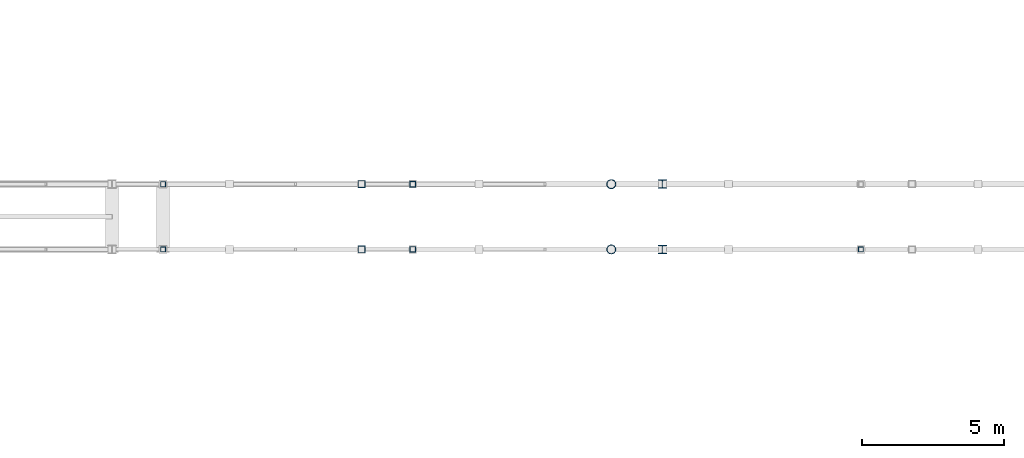
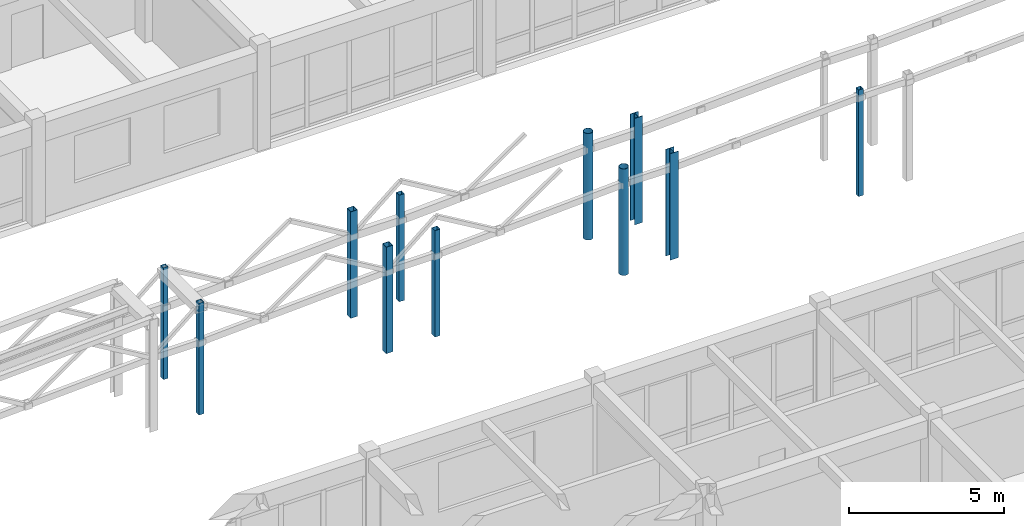
# One storey, part 9 of 89: 11 columns.
"""IFC4 building model written with IfcOpenShell, lengths in metres."""

from ifc_helpers import new_model, si_unit, direction, frame, origin, origin_2d, place, context, subcontext, project, spatial, hollow_rectangle, hollow_circle, i_section, extrude, material, material_profile, profile_set, type_object, element, save


model = new_model("IFC4")

# Units and contexts
model_context = context("Model", 3, precision=1e-05, world=origin(), true_north=direction((0.0, 1.0)))
body_context = subcontext(model_context, "Body", "Model", "MODEL_VIEW")
ifc_project = project(units=[si_unit("LENGTHUNIT", "METRE"), si_unit("AREAUNIT", "SQUARE_METRE"), si_unit("VOLUMEUNIT", "CUBIC_METRE"), si_unit("PLANEANGLEUNIT", "RADIAN"), si_unit("MASSUNIT", "GRAM", prefix="KILO")], contexts=[model_context])

# Site, building, storey
site_placement = place(None, origin())
site = spatial("IfcSite", under=ifc_project, at=site_placement, CompositionType="ELEMENT")
building_placement = place(site_placement, origin())
building = spatial("IfcBuilding", under=site, at=building_placement, Name="Malvenik Polytechnic", CompositionType="ELEMENT")
storey_placement = place(building_placement, frame((0.0, 0.0, 13.5)))
storey = spatial("IfcBuildingStorey", under=building, at=storey_placement, Name="L03", CompositionType="ELEMENT", Elevation=13.5)

# Columns
ifc_material_1 = material(Name="Steel S355J2H", Category="steel")
ifc_material_profile_1 = material_profile(ifc_material_1, hollow_rectangle(XDim=0.25, YDim=0.25, WallThickness=0.010009765625, at=origin_2d()), Name="SHS 250x250x10.0")
ifc_profile_set_1 = profile_set([ifc_material_profile_1], Name="Steel S355J2H")
column_type_1 = type_object("IfcColumnType", Name="STR-SCOL-SC-01", PredefinedType="COLUMN", material=ifc_profile_set_1)
for number, where, z_axis, x_axis, name in (
    (1, (39.800048828125, 103.14990234375, 0.0), (0.0, 0.0, 1.0), (1.0, 0.0, 0.0), "Bridge-Ramp Support Column SC-01 L03"),
    (2, (39.800048828125, 105.449951171875, 0.0), (0.0, 0.0, 1.0), (1.0, 0.0, 0.0), "Bridge-Ramp Support Column SC-01 L03"),
):
    element("IfcColumn", number, at=place(storey_placement, frame(where, z_axis=z_axis, x_axis=x_axis)), inside=storey, type_object=column_type_1, Name=name, PredefinedType="COLUMN", context=body_context, shape_type="SweptSolid", body=[
        extrude(hollow_rectangle(XDim=0.25, YDim=0.25, WallThickness=0.010009765625, at=origin_2d()), origin(), (0.0, 0.0, 1.0), 4.199951171875),
    ])
ifc_material_profile_2 = material_profile(ifc_material_1, hollow_rectangle(XDim=0.199951171875, YDim=0.199951171875, WallThickness=0.010009765625, at=origin_2d()), Name="SHS 200x200x10.0")
ifc_profile_set_2 = profile_set([ifc_material_profile_2], Name="Steel S355J2H")
column_type_2 = type_object("IfcColumnType", Name="STR-SCOL-SC-02", PredefinedType="COLUMN", material=ifc_profile_set_2)
for number, where, z_axis, x_axis, name in (
    (3, (41.60009765625, 103.14990234375, 0.0), (0.0, 0.0, 1.0), (1.0, 0.0, 0.0), "Bridge-Ramp Support Column SC-02 L03"),
    (4, (41.60009765625, 105.449951171875, 0.0), (0.0, 0.0, 1.0), (1.0, 0.0, 0.0), "Bridge-Ramp Support Column SC-02 L03"),
):
    element("IfcColumn", number, at=place(storey_placement, frame(where, z_axis=z_axis, x_axis=x_axis)), inside=storey, type_object=column_type_2, Name=name, PredefinedType="COLUMN", context=body_context, shape_type="SweptSolid", body=[
        extrude(hollow_rectangle(XDim=0.199951171875, YDim=0.199951171875, WallThickness=0.010009765625, at=origin_2d()), origin(), (0.0, 0.0, 1.0), 4.199951171875),
    ])
ifc_material_profile_3 = material_profile(ifc_material_1, hollow_circle(Radius=0.161865234375, WallThickness=0.012451171875, at=origin_2d()), Name="CHS 323.9x12.5")
ifc_profile_set_3 = profile_set([ifc_material_profile_3], Name="Steel S355J2H")
column_type_3 = type_object("IfcColumnType", Name="STR-SCOL-SC-04", PredefinedType="COLUMN", material=ifc_profile_set_3)
for number, where, z_axis, x_axis, name in (
    (5, (48.60009765625, 103.14990234375, 0.0), (0.0, 0.0, 1.0), (1.0, 0.0, 0.0), "Bridge-Ramp Support Column SC-04 L03"),
    (6, (48.60009765625, 105.449951171875, 0.0), (0.0, 0.0, 1.0), (1.0, 0.0, 0.0), "Bridge-Ramp Support Column SC-04 L03"),
):
    element("IfcColumn", number, at=place(storey_placement, frame(where, z_axis=z_axis, x_axis=x_axis)), inside=storey, type_object=column_type_3, Name=name, PredefinedType="COLUMN", context=body_context, shape_type="SweptSolid", body=[
        extrude(hollow_circle(Radius=0.161865234375, WallThickness=0.012451171875, at=origin_2d()), origin(), (0.0, 0.0, 1.0), 4.199951171875),
    ])
ifc_material_2 = material(Name="Steel S355", Category="steel")
ifc_material_profile_4 = material_profile(ifc_material_2, i_section(OverallWidth=0.300048828125, OverallDepth=0.300048828125, WebThickness=0.010986328125, FlangeThickness=0.01904296875, FilletRadius=0.027099609375, at=origin_2d()), Name="HEB 300")
ifc_profile_set_4 = profile_set([ifc_material_profile_4], Name="Steel S355")
column_type_4 = type_object("IfcColumnType", Name="STR-SCOL-SC-05", PredefinedType="COLUMN", material=ifc_profile_set_4)
for number, where, z_axis, x_axis, name in (
    (7, (50.39990234375, 103.14990234375, 0.0), (0.0, 0.0, 1.0), (1.0, 0.0, 0.0), "Bridge-Ramp Support Column SC-05 L03"),
    (8, (50.39990234375, 105.449951171875, 0.0), (0.0, 0.0, 1.0), (1.0, 0.0, 0.0), "Bridge-Ramp Support Column SC-05 L03"),
):
    element("IfcColumn", number, at=place(storey_placement, frame(where, z_axis=z_axis, x_axis=x_axis)), inside=storey, type_object=column_type_4, Name=name, PredefinedType="COLUMN", context=body_context, shape_type="SweptSolid", body=[
        extrude(i_section(OverallWidth=0.300048828125, OverallDepth=0.300048828125, WebThickness=0.010986328125, FlangeThickness=0.01904296875, FilletRadius=0.027099609375, at=origin_2d()), origin(), (0.0, 0.0, 1.0), 4.199951171875),
    ])
ifc_material_profile_5 = material_profile(ifc_material_1, hollow_rectangle(XDim=0.179931640625, YDim=0.179931640625, WallThickness=0.008056640625, at=origin_2d()), Name="SHS 180x180x8.0")
ifc_profile_set_5 = profile_set([ifc_material_profile_5], Name="Steel S355J2H")
column_type_5 = type_object("IfcColumnType", Name="STR-SCOL-SC-06", PredefinedType="COLUMN", material=ifc_profile_set_5)
for number, where, z_axis, x_axis, name in (
    (9, (32.800048828125, 103.14990234375, 0.0), (0.0, 0.0, 1.0), (1.0, 0.0, 0.0), "Bridge-Ramp Support Column SC-06 L03"),
    (10, (32.800048828125, 105.449951171875, 0.0), (0.0, 0.0, 1.0), (1.0, 0.0, 0.0), "Bridge-Ramp Support Column SC-06 L03"),
):
    element("IfcColumn", number, at=place(storey_placement, frame(where, z_axis=z_axis, x_axis=x_axis)), inside=storey, type_object=column_type_5, Name=name, PredefinedType="COLUMN", context=body_context, shape_type="SweptSolid", body=[
        extrude(hollow_rectangle(XDim=0.179931640625, YDim=0.179931640625, WallThickness=0.008056640625, at=origin_2d()), origin(), (0.0, 0.0, 1.0), 4.409912109375),
    ])
column_placement = place(storey_placement, frame((57.39990234375, 103.14990234375, 0.0), z_axis=(0.0, 0.0, 1.0), x_axis=(1.0, 0.0, 0.0)))
element("IfcColumn", 11, at=column_placement, inside=storey, type_object=column_type_5, Name="Bridge-Ramp Support Column SC-06 L03", PredefinedType="COLUMN", context=body_context, shape_type="SweptSolid", body=[
    extrude(hollow_rectangle(XDim=0.179931640625, YDim=0.179931640625, WallThickness=0.008056640625, at=origin_2d()), origin(), (0.0, 0.0, 1.0), 4.199951171875),
])

save(model, "model.ifc")
